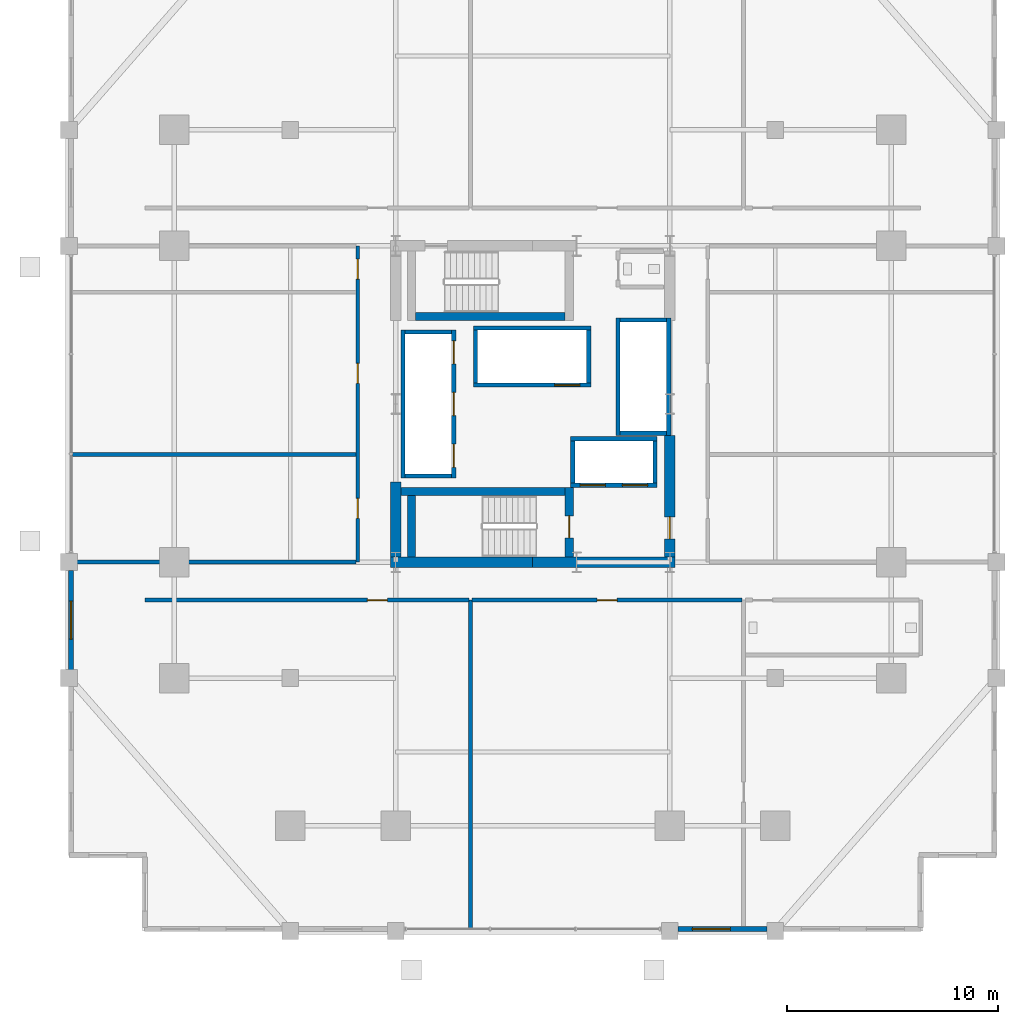
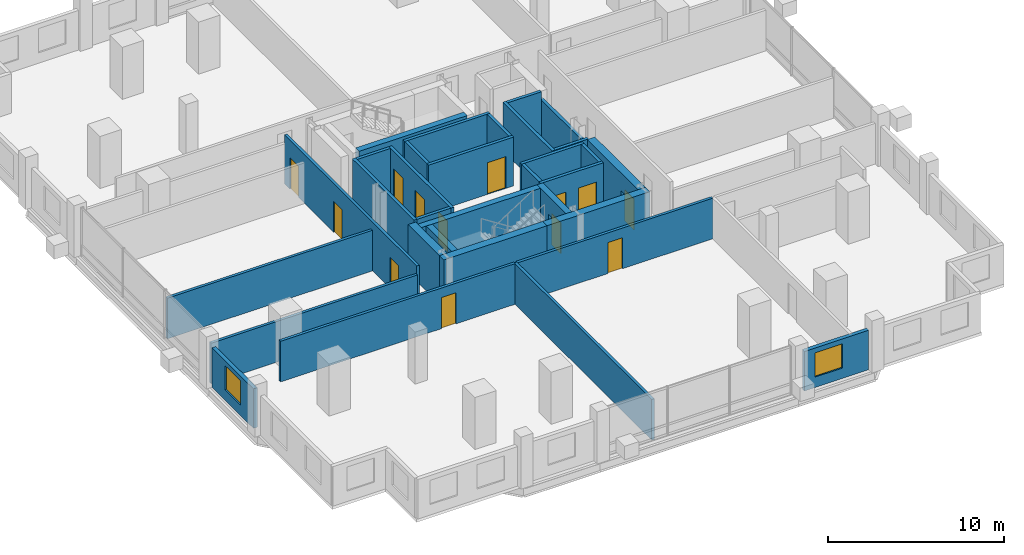
# One storey, part 17 of 21: 32 walls, 13 doors, 2 windows, 15 openings.
"""IFC4 building model written with IfcOpenShell, lengths in metres."""

from ifc_helpers import new_model, si_unit, direction, frame, frame_2d, origin, place, context, subcontext, project, spatial, rectangle, extrude, material, layer, layer_set, type_object, element, fill, save


model = new_model("IFC4")

# Units and contexts
model_context = context("Model", 3, precision=1e-05, world=origin(), true_north=direction((0.0, 1.0)))
body_context = subcontext(model_context, "Body", "Model", "MODEL_VIEW")
ifc_project = project(units=[si_unit("LENGTHUNIT", "METRE"), si_unit("AREAUNIT", "SQUARE_METRE"), si_unit("VOLUMEUNIT", "CUBIC_METRE"), si_unit("PLANEANGLEUNIT", "RADIAN"), si_unit("MASSUNIT", "GRAM", prefix="KILO")], contexts=[model_context])

# Site, building, storey
site_placement = place(None, origin())
site = spatial("IfcSite", under=ifc_project, at=site_placement, CompositionType="ELEMENT")
building_placement = place(site_placement, origin())
building = spatial("IfcBuilding", under=site, at=building_placement, Name="Barlavira Tower and Art Museum", CompositionType="ELEMENT")
storey_placement = place(building_placement, frame((0.0, 0.0, 86.39990234375)))
storey = spatial("IfcBuildingStorey", under=building, at=storey_placement, Name="L21", CompositionType="ELEMENT", Elevation=86.39990234375)

# Walls
ifc_material_1 = material(Name="Concrete C60", Category="concrete")
ifc_layer_1 = layer(ifc_material_1, 0.5, Name="Concrete C60")
ifc_layer_set_1 = layer_set([ifc_layer_1], Name="Concrete C60")
wall_type_1 = type_object("IfcWallType", Name="Core Structural Shear Wall 500 Concrete C60", PredefinedType="SHEAR", material=ifc_layer_set_1)
for number, where, z_axis, x_axis, name in (
    (1, (-6.75, -7.5, 0.0), (0.0, 0.0, 1.0), (1.0, 0.0, 0.0), "L21 Core Shear Wall CS-SW"),
    (2, (0.0, -7.5, 0.0), (0.0, 0.0, 1.0), (1.0, 0.0, 0.0), "L21 Core Shear Wall CS-SE"),
):
    element("IfcWall", number, at=place(storey_placement, frame(where, z_axis=z_axis, x_axis=x_axis)), inside=storey, type_object=wall_type_1, Name=name, PredefinedType="SHEAR", context=body_context, shape_type="SweptSolid", body=[
        extrude(rectangle(XDim=6.75, YDim=0.5, at=frame_2d((3.375, 0.0))), origin(), (0.0, 0.0, 1.0), 3.380126953125),
    ])
wall_1_placement = place(storey_placement, frame((-6.5, -7.25, 0.0), z_axis=(0.0, 0.0, 1.0), x_axis=(0.0, 1.0, 0.0)))
element("IfcWall", 3, at=wall_1_placement, inside=storey, type_object=wall_type_1, Name="L21 Core Shear Wall CS-W1", PredefinedType="SHEAR", context=body_context, shape_type="SweptSolid", body=[
    extrude(rectangle(XDim=3.550048828125, YDim=0.5, at=frame_2d((1.77490234375, 0.0))), origin(), (0.0, 0.0, 1.0), 3.380126953125),
])

# Wall, opening, door
wall_2_placement = place(storey_placement, frame((6.5, -7.25, 0.0), z_axis=(0.0, 0.0, 1.0), x_axis=(0.0, 1.0, 0.0)))
wall_2 = element("IfcWall", 4, at=wall_2_placement, inside=storey, type_object=wall_type_1, Name="L21 Core Shear Wall CS-E1", PredefinedType="SHEAR", context=body_context, shape_type="SweptSolid", body=[
    extrude(rectangle(XDim=5.75, YDim=0.5, at=frame_2d((2.875, 0.0))), origin(), (0.0, 0.0, 1.0), 3.380126953125),
])
opening_1_placement = place(wall_2_placement, frame((0.85009765625, 0.0, 0.0)))
opening_1 = element("IfcOpeningElement", 5, at=opening_1_placement, cuts=wall_2, Name="Opening FD-90", PredefinedType="OPENING", context=body_context, shape_type="SweptSolid", body=[
    extrude(rectangle(XDim=1.050048828125, YDim=2.14990234375, at=frame_2d((0.52490234375, 1.074951171875))), frame((0.0, 0.260009765625, 0.0), z_axis=(0.0, -1.0, 0.0), x_axis=(1.0, 0.0, 0.0)), (0.0, 0.0, 1.0), 0.52001953125),
])
ifc_material_2 = material(Name="Brushed stainless steel", Category="steel")
door_type_1 = type_object("IfcDoorType", Name="Stair and Refuge Fire Door 1050x2150 FD90S", OperationType="NOTDEFINED", PredefinedType="DOOR", material=ifc_material_2)
door_1_placement = place(opening_1_placement, origin())
door_1 = element("IfcDoor", 6, at=door_1_placement, inside=storey, type_object=door_type_1, Name="L21 Firefighting Lobby Entry Fire Door", OperationType="SINGLE_SWING_LEFT", OverallHeight=2.14990234375, OverallWidth=1.050048828125, PredefinedType="DOOR", context=body_context, shape_type="SweptSolid", body=[
    extrude(rectangle(XDim=1.050048828125, YDim=2.14990234375, at=frame_2d((0.52490234375, 1.074951171875))), frame((0.0, 0.02490234375, 0.0), z_axis=(0.0, -1.0, 0.0), x_axis=(1.0, 0.0, 0.0)), (0.0, 0.0, 1.0), 0.050048828125),
])
fill(opening_1, door_1)

# Wall, openings, doors
ifc_material_3 = material(Name="Autoclaved aerated concrete masonry", Category="masonry")
ifc_layer_2 = layer(ifc_material_3, 0.199951171875, Name="Autoclaved aerated concrete masonry")
ifc_layer_set_2 = layer_set([ifc_layer_2], Name="Autoclaved aerated concrete masonry")
wall_type_2 = type_object("IfcWallType", Name="Fire Compartment and Shaft Wall 200", PredefinedType="SOLIDWALL", material=ifc_layer_set_2)
wall_3_placement = place(storey_placement, frame((-3.75, -3.510009765625, 0.0), z_axis=(0.0, 0.0, 1.0), x_axis=(0.0, 1.0, 0.0)))
wall_3 = element("IfcWall", 7, at=wall_3_placement, inside=storey, type_object=wall_type_2, Name="L21 Low-Rise Lift Front Shaft Wall", PredefinedType="SOLIDWALL", context=body_context, shape_type="SweptSolid", body=[
    extrude(rectangle(XDim=7.02001953125, YDim=0.199951171875, at=frame_2d((3.510009765625, 0.0))), origin(), (0.0, 0.0, 1.0), 3.380126953125),
])
opening_2_placement = place(wall_3_placement, frame((0.510009765625, 0.0, 0.0)))
opening_2 = element("IfcOpeningElement", 8, at=opening_2_placement, cuts=wall_3, Name="Opening LD-P", PredefinedType="OPENING", context=body_context, shape_type="SweptSolid", body=[
    extrude(rectangle(XDim=1.10009765625, YDim=2.14990234375, at=frame_2d((0.550048828125, 1.074951171875))), frame((0.0, 0.10986328125, 0.0), z_axis=(0.0, -1.0, 0.0), x_axis=(1.0, 0.0, 0.0)), (0.0, 0.0, 1.0), 0.219970703125),
])
opening_3_placement = place(wall_3_placement, frame((2.9599609375, 0.0, 0.0)))
opening_3 = element("IfcOpeningElement", 9, at=opening_3_placement, cuts=wall_3, Name="Opening LD-P", PredefinedType="OPENING", context=body_context, shape_type="SweptSolid", body=[
    extrude(rectangle(XDim=1.10009765625, YDim=2.14990234375, at=frame_2d((0.550048828125, 1.074951171875))), frame((0.0, 0.10986328125, 0.0), z_axis=(0.0, -1.0, 0.0), x_axis=(1.0, 0.0, 0.0)), (0.0, 0.0, 1.0), 0.219970703125),
])
opening_4_placement = place(wall_3_placement, frame((5.409912109375, 0.0, 0.0)))
opening_4 = element("IfcOpeningElement", 10, at=opening_4_placement, cuts=wall_3, Name="Opening LD-P", PredefinedType="OPENING", context=body_context, shape_type="SweptSolid", body=[
    extrude(rectangle(XDim=1.10009765625, YDim=2.14990234375, at=frame_2d((0.550048828125, 1.074951171875))), frame((0.0, 0.10986328125, 0.0), z_axis=(0.0, -1.0, 0.0), x_axis=(1.0, 0.0, 0.0)), (0.0, 0.0, 1.0), 0.219970703125),
])
door_type_2 = type_object("IfcDoorType", Name="Passenger Lift Sliding Landing Door 1100x2150 FD60", OperationType="NOTDEFINED", PredefinedType="DOOR", material=ifc_material_2)
door_2_placement = place(opening_2_placement, origin())
door_2 = element("IfcDoor", 11, at=door_2_placement, inside=storey, type_object=door_type_2, Name="L21 Lift PL1 Sliding Landing Door", OperationType="DOUBLE_DOOR_SLIDING", OverallHeight=2.14990234375, OverallWidth=1.10009765625, PredefinedType="DOOR", context=body_context, shape_type="SweptSolid", body=[
    extrude(rectangle(XDim=1.10009765625, YDim=2.14990234375, at=frame_2d((0.550048828125, 1.074951171875))), frame((0.0, 0.02490234375, 0.0), z_axis=(0.0, -1.0, 0.0), x_axis=(1.0, 0.0, 0.0)), (0.0, 0.0, 1.0), 0.050048828125),
])
fill(opening_2, door_2)
door_3_placement = place(opening_3_placement, origin())
door_3 = element("IfcDoor", 12, at=door_3_placement, inside=storey, type_object=door_type_2, Name="L21 Lift PL2 Sliding Landing Door", OperationType="DOUBLE_DOOR_SLIDING", OverallHeight=2.14990234375, OverallWidth=1.10009765625, PredefinedType="DOOR", context=body_context, shape_type="SweptSolid", body=[
    extrude(rectangle(XDim=1.10009765625, YDim=2.14990234375, at=frame_2d((0.550048828125, 1.074951171875))), frame((0.0, 0.02490234375, 0.0), z_axis=(0.0, -1.0, 0.0), x_axis=(1.0, 0.0, 0.0)), (0.0, 0.0, 1.0), 0.050048828125),
])
fill(opening_3, door_3)
door_4_placement = place(opening_4_placement, origin())
door_4 = element("IfcDoor", 13, at=door_4_placement, inside=storey, type_object=door_type_2, Name="L21 Lift PL3 Sliding Landing Door", OperationType="DOUBLE_DOOR_SLIDING", OverallHeight=2.14990234375, OverallWidth=1.10009765625, PredefinedType="DOOR", context=body_context, shape_type="SweptSolid", body=[
    extrude(rectangle(XDim=1.10009765625, YDim=2.14990234375, at=frame_2d((0.550048828125, 1.074951171875))), frame((0.0, 0.02490234375, 0.0), z_axis=(0.0, -1.0, 0.0), x_axis=(1.0, 0.0, 0.0)), (0.0, 0.0, 1.0), 0.050048828125),
])
fill(opening_4, door_4)

# Walls
wall_4_placement = place(storey_placement, frame((-6.14990234375, -3.510009765625, 0.0), z_axis=(0.0, 0.0, 1.0), x_axis=(0.0, 1.0, 0.0)))
element("IfcWall", 14, at=wall_4_placement, inside=storey, type_object=wall_type_2, Name="L21 Low-Rise Lift Back Shaft Wall", PredefinedType="SOLIDWALL", context=body_context, shape_type="SweptSolid", body=[
    extrude(rectangle(XDim=7.02001953125, YDim=0.199951171875, at=frame_2d((3.510009765625, 0.0))), origin(), (0.0, 0.0, 1.0), 3.380126953125),
])
for number, where, z_axis, x_axis, name in (
    (15, (-6.050048828125, -3.409912109375, 0.0), (0.0, 0.0, 1.0), (1.0, 0.0, 0.0), "L21 Low-Rise Lift South Shaft Wall"),
    (16, (-6.050048828125, 3.409912109375, 0.0), (0.0, 0.0, 1.0), (1.0, 0.0, 0.0), "L21 Low-Rise Lift North Shaft Wall"),
):
    element("IfcWall", number, at=place(storey_placement, frame(where, z_axis=z_axis, x_axis=x_axis)), inside=storey, type_object=wall_type_2, Name=name, PredefinedType="SOLIDWALL", context=body_context, shape_type="SweptSolid", body=[
        extrude(rectangle(XDim=2.199951171875, YDim=0.199951171875, at=frame_2d((1.10009765625, 0.0))), origin(), (0.0, 0.0, 1.0), 3.380126953125),
    ])
wall_5_placement = place(storey_placement, frame((4.050048828125, -1.489990234375, 0.0), z_axis=(0.0, 0.0, 1.0), x_axis=(0.0, 1.0, 0.0)))
element("IfcWall", 17, at=wall_5_placement, inside=storey, type_object=wall_type_2, Name="L21 Mid-Rise Lift Front Shaft Wall", PredefinedType="SOLIDWALL", context=body_context, shape_type="SweptSolid", body=[
    extrude(rectangle(XDim=5.580078125, YDim=0.199951171875, at=frame_2d((2.7900390625, 0.0))), origin(), (0.0, 0.0, 1.0), 3.380126953125),
])
wall_6_placement = place(storey_placement, frame((6.449951171875, -1.489990234375, 0.0), z_axis=(0.0, 0.0, 1.0), x_axis=(0.0, 1.0, 0.0)))
element("IfcWall", 18, at=wall_6_placement, inside=storey, type_object=wall_type_2, Name="L21 Mid-Rise Lift Back Shaft Wall", PredefinedType="SOLIDWALL", context=body_context, shape_type="SweptSolid", body=[
    extrude(rectangle(XDim=5.580078125, YDim=0.199951171875, at=frame_2d((2.7900390625, 0.0))), origin(), (0.0, 0.0, 1.0), 2.816162109375),
])
for number, where, z_axis, x_axis, name in (
    (19, (4.14990234375, -1.389892578125, 0.0), (0.0, 0.0, 1.0), (1.0, 0.0, 0.0), "L21 Mid-Rise Lift South Shaft Wall"),
    (20, (4.14990234375, 3.989990234375, 0.0), (0.0, 0.0, 1.0), (1.0, 0.0, 0.0), "L21 Mid-Rise Lift North Shaft Wall"),
):
    element("IfcWall", number, at=place(storey_placement, frame(where, z_axis=z_axis, x_axis=x_axis)), inside=storey, type_object=wall_type_2, Name=name, PredefinedType="SOLIDWALL", context=body_context, shape_type="SweptSolid", body=[
        extrude(rectangle(XDim=2.2001953125, YDim=0.199951171875, at=frame_2d((1.10009765625, 0.0))), origin(), (0.0, 0.0, 1.0), 3.380126953125),
    ])

# Wall, opening, door
wall_7_placement = place(storey_placement, frame((-2.820068359375, 0.89990234375, 0.0), z_axis=(0.0, 0.0, 1.0), x_axis=(1.0, 0.0, 0.0)))
wall_7 = element("IfcWall", 21, at=wall_7_placement, inside=storey, type_object=wall_type_2, Name="L21 High-Rise & Service Lift Front Wall", PredefinedType="SOLIDWALL", context=body_context, shape_type="SweptSolid", body=[
    extrude(rectangle(XDim=5.580078125, YDim=0.199951171875, at=frame_2d((2.7900390625, 0.0))), origin(), (0.0, 0.0, 1.0), 3.380126953125),
])
opening_5_placement = place(wall_7_placement, frame((3.860107421875, 0.0, 0.0)))
opening_5 = element("IfcOpeningElement", 22, at=opening_5_placement, cuts=wall_7, Name="Opening LD-F", PredefinedType="OPENING", context=body_context, shape_type="SweptSolid", body=[
    extrude(rectangle(XDim=1.199951171875, YDim=2.199951171875, at=frame_2d((0.60009765625, 1.10009765625))), frame((0.0, 0.10986328125, 0.0), z_axis=(0.0, -1.0, 0.0), x_axis=(1.0, 0.0, 0.0)), (0.0, 0.0, 1.0), 0.219970703125),
])
door_type_3 = type_object("IfcDoorType", Name="Firefighting and Service Lift Sliding Door 1200x2200 FD120", OperationType="NOTDEFINED", PredefinedType="DOOR", material=ifc_material_2)
door_5_placement = place(opening_5_placement, origin())
door_5 = element("IfcDoor", 23, at=door_5_placement, inside=storey, type_object=door_type_3, Name="L21 Stretcher Service Lift SL1 Sliding Door", OperationType="DOUBLE_DOOR_SLIDING", OverallHeight=2.199951171875, OverallWidth=1.199951171875, PredefinedType="DOOR", context=body_context, shape_type="SweptSolid", body=[
    extrude(rectangle(XDim=1.199951171875, YDim=2.199951171875, at=frame_2d((0.60009765625, 1.10009765625))), frame((0.0, 0.02490234375, 0.0), z_axis=(0.0, -1.0, 0.0), x_axis=(1.0, 0.0, 0.0)), (0.0, 0.0, 1.0), 0.050048828125),
])
fill(opening_5, door_5)

# Walls
wall_8_placement = place(storey_placement, frame((-2.820068359375, 3.60009765625, 0.0), z_axis=(0.0, 0.0, 1.0), x_axis=(1.0, 0.0, 0.0)))
element("IfcWall", 24, at=wall_8_placement, inside=storey, type_object=wall_type_2, Name="L21 High-Rise & Service Lift Back Wall", PredefinedType="SOLIDWALL", context=body_context, shape_type="SweptSolid", body=[
    extrude(rectangle(XDim=5.580078125, YDim=0.199951171875, at=frame_2d((2.7900390625, 0.0))), origin(), (0.0, 0.0, 1.0), 3.380126953125),
])
for number, where, z_axis, x_axis, name in (
    (25, (-2.719970703125, 1.0, 0.0), (0.0, 0.0, 1.0), (0.0, 1.0, 0.0), "L21 High-Rise & Service Lift West Wall"),
    (26, (2.659912109375, 1.0, 0.0), (0.0, 0.0, 1.0), (0.0, 1.0, 0.0), "L21 High-Rise & Service Lift East Wall"),
):
    element("IfcWall", number, at=place(storey_placement, frame(where, z_axis=z_axis, x_axis=x_axis)), inside=storey, type_object=wall_type_2, Name=name, PredefinedType="SOLIDWALL", context=body_context, shape_type="SweptSolid", body=[
        extrude(rectangle(XDim=2.5, YDim=0.199951171875, at=frame_2d((1.25, 0.0))), origin(), (0.0, 0.0, 1.0), 3.380126953125),
    ])

# Wall, openings, doors
wall_9_placement = place(storey_placement, frame((1.800048828125, -3.85009765625, 0.0), z_axis=(0.0, 0.0, 1.0), x_axis=(1.0, 0.0, 0.0)))
wall_9 = element("IfcWall", 27, at=wall_9_placement, inside=storey, type_object=wall_type_2, Name="L21 Firefighting Lift Front Shaft Wall", PredefinedType="SOLIDWALL", context=body_context, shape_type="SweptSolid", body=[
    extrude(rectangle(XDim=4.099853515625, YDim=0.199951171875, at=frame_2d((2.0498046875, 0.0))), origin(), (0.0, 0.0, 1.0), 3.380126953125),
])
opening_6_placement = place(wall_9_placement, frame((0.449951171875, 0.0, 0.0)))
opening_6 = element("IfcOpeningElement", 28, at=opening_6_placement, cuts=wall_9, Name="Opening LD-F", PredefinedType="OPENING", context=body_context, shape_type="SweptSolid", body=[
    extrude(rectangle(XDim=1.199951171875, YDim=2.199951171875, at=frame_2d((0.60009765625, 1.10009765625))), frame((0.0, 0.10986328125, 0.0), z_axis=(0.0, -1.0, 0.0), x_axis=(1.0, 0.0, 0.0)), (0.0, 0.0, 1.0), 0.219970703125),
])
opening_7_placement = place(wall_9_placement, frame((2.449951171875, 0.0, 0.0)))
opening_7 = element("IfcOpeningElement", 29, at=opening_7_placement, cuts=wall_9, Name="Opening LD-F", PredefinedType="OPENING", context=body_context, shape_type="SweptSolid", body=[
    extrude(rectangle(XDim=1.199951171875, YDim=2.199951171875, at=frame_2d((0.60009765625, 1.10009765625))), frame((0.0, 0.10986328125, 0.0), z_axis=(0.0, -1.0, 0.0), x_axis=(1.0, 0.0, 0.0)), (0.0, 0.0, 1.0), 0.219970703125),
])
door_6_placement = place(opening_6_placement, origin())
door_6 = element("IfcDoor", 30, at=door_6_placement, inside=storey, type_object=door_type_3, Name="L21 Firefighting Lift FF1 Sliding Door", OperationType="DOUBLE_DOOR_SLIDING", OverallHeight=2.199951171875, OverallWidth=1.199951171875, PredefinedType="DOOR", context=body_context, shape_type="SweptSolid", body=[
    extrude(rectangle(XDim=1.199951171875, YDim=2.199951171875, at=frame_2d((0.60009765625, 1.10009765625))), frame((0.0, 0.02490234375, 0.0), z_axis=(0.0, -1.0, 0.0), x_axis=(1.0, 0.0, 0.0)), (0.0, 0.0, 1.0), 0.050048828125),
])
fill(opening_6, door_6)
door_7_placement = place(opening_7_placement, origin())
door_7 = element("IfcDoor", 31, at=door_7_placement, inside=storey, type_object=door_type_3, Name="L21 Firefighting Lift FF2 Sliding Door", OperationType="DOUBLE_DOOR_SLIDING", OverallHeight=2.199951171875, OverallWidth=1.199951171875, PredefinedType="DOOR", context=body_context, shape_type="SweptSolid", body=[
    extrude(rectangle(XDim=1.199951171875, YDim=2.199951171875, at=frame_2d((0.60009765625, 1.10009765625))), frame((0.0, 0.02490234375, 0.0), z_axis=(0.0, -1.0, 0.0), x_axis=(1.0, 0.0, 0.0)), (0.0, 0.0, 1.0), 0.050048828125),
])
fill(opening_7, door_7)

# Walls
wall_10_placement = place(storey_placement, frame((1.800048828125, -1.64990234375, 0.0), z_axis=(0.0, 0.0, 1.0), x_axis=(1.0, 0.0, 0.0)))
element("IfcWall", 32, at=wall_10_placement, inside=storey, type_object=wall_type_2, Name="L21 Firefighting Lift Back Shaft Wall", PredefinedType="SOLIDWALL", context=body_context, shape_type="SweptSolid", body=[
    extrude(rectangle(XDim=4.099853515625, YDim=0.199951171875, at=frame_2d((2.0498046875, 0.0))), origin(), (0.0, 0.0, 1.0), 3.380126953125),
])
for number, where, z_axis, x_axis, name in (
    (33, (1.89990234375, -3.75, 0.0), (0.0, 0.0, 1.0), (0.0, 1.0, 0.0), "L21 Firefighting Lift West Shaft Wall"),
    (34, (5.800048828125, -3.75, 0.0), (0.0, 0.0, 1.0), (0.0, 1.0, 0.0), "L21 Firefighting Lift East Shaft Wall"),
):
    element("IfcWall", number, at=place(storey_placement, frame(where, z_axis=z_axis, x_axis=x_axis)), inside=storey, type_object=wall_type_2, Name=name, PredefinedType="SOLIDWALL", context=body_context, shape_type="SweptSolid", body=[
        extrude(rectangle(XDim=2.0, YDim=0.199951171875, at=frame_2d((1.0, 0.0))), origin(), (0.0, 0.0, 1.0), 3.380126953125),
    ])

# Wall, openings, doors
ifc_material_4 = material(Name="Gypsum acoustic stud partition", Category="gypsum")
ifc_layer_3 = layer(ifc_material_4, 0.179931640625, Name="Gypsum acoustic stud partition")
ifc_layer_set_3 = layer_set([ifc_layer_3], Name="Gypsum acoustic stud partition")
wall_type_3 = type_object("IfcWallType", Name="Inter-Tenancy Party Partition Wall 180", PredefinedType="PARTITIONING", material=ifc_layer_set_3)
wall_11_placement = place(storey_placement, frame((-8.300048828125, -7.5, 0.0), z_axis=(0.0, 0.0, 1.0), x_axis=(0.0, 1.0, 0.0)))
wall_11 = element("IfcWall", 35, at=wall_11_placement, inside=storey, type_object=wall_type_3, Name="L21 Partition Wall 1", PredefinedType="PARTITIONING", context=body_context, shape_type="SweptSolid", body=[
    extrude(rectangle(XDim=15.0, YDim=0.179931640625, at=frame_2d((7.5, 0.0))), origin(), (0.0, 0.0, 1.0), 3.380126953125),
])
opening_8_placement = place(wall_11_placement, frame((2.074951171875, 0.0, 0.0)))
opening_8 = element("IfcOpeningElement", 36, at=opening_8_placement, cuts=wall_11, Name="Opening FD-60", PredefinedType="OPENING", context=body_context, shape_type="SweptSolid", body=[
    extrude(rectangle(XDim=0.949951171875, YDim=2.14990234375, at=frame_2d((0.47509765625, 1.074951171875))), frame((0.0, 0.10009765625, 0.0), z_axis=(0.0, -1.0, 0.0), x_axis=(1.0, 0.0, 0.0)), (0.0, 0.0, 1.0), 0.199951171875),
])
opening_9_placement = place(wall_11_placement, frame((8.47509765625, 0.0, 0.0)))
opening_9 = element("IfcOpeningElement", 37, at=opening_9_placement, cuts=wall_11, Name="Opening FD-60", PredefinedType="OPENING", context=body_context, shape_type="SweptSolid", body=[
    extrude(rectangle(XDim=0.949951171875, YDim=2.14990234375, at=frame_2d((0.47509765625, 1.074951171875))), frame((0.0, 0.10009765625, 0.0), z_axis=(0.0, -1.0, 0.0), x_axis=(1.0, 0.0, 0.0)), (0.0, 0.0, 1.0), 0.199951171875),
])
opening_10_placement = place(wall_11_placement, frame((13.425048828125, 0.0, 0.0)))
opening_10 = element("IfcOpeningElement", 38, at=opening_10_placement, cuts=wall_11, Name="Opening FD-60", PredefinedType="OPENING", context=body_context, shape_type="SweptSolid", body=[
    extrude(rectangle(XDim=0.949951171875, YDim=2.14990234375, at=frame_2d((0.47509765625, 1.074951171875))), frame((0.0, 0.10009765625, 0.0), z_axis=(0.0, -1.0, 0.0), x_axis=(1.0, 0.0, 0.0)), (0.0, 0.0, 1.0), 0.199951171875),
])
door_type_4 = type_object("IfcDoorType", Name="Apartment Entrance and Riser Fire Door 950x2150 FD60S", OperationType="NOTDEFINED", PredefinedType="DOOR", material=ifc_material_2)
door_8_placement = place(opening_8_placement, origin())
door_8 = element("IfcDoor", 39, at=door_8_placement, inside=storey, type_object=door_type_4, Name="Resident Art Collectors Salon Door", OperationType="SINGLE_SWING_RIGHT", OverallHeight=2.14990234375, OverallWidth=0.949951171875, PredefinedType="DOOR", context=body_context, shape_type="SweptSolid", body=[
    extrude(rectangle(XDim=0.949951171875, YDim=2.14990234375, at=frame_2d((0.47509765625, 1.074951171875))), frame((0.0, 0.02490234375, 0.0), z_axis=(0.0, -1.0, 0.0), x_axis=(1.0, 0.0, 0.0)), (0.0, 0.0, 1.0), 0.050048828125),
])
fill(opening_8, door_8)
door_9_placement = place(opening_9_placement, origin())
door_9 = element("IfcDoor", 40, at=door_9_placement, inside=storey, type_object=door_type_4, Name="Sculpture and Painting Workshop Door", OperationType="SINGLE_SWING_LEFT", OverallHeight=2.14990234375, OverallWidth=0.949951171875, PredefinedType="DOOR", context=body_context, shape_type="SweptSolid", body=[
    extrude(rectangle(XDim=0.949951171875, YDim=2.14990234375, at=frame_2d((0.47509765625, 1.074951171875))), frame((0.0, 0.02490234375, 0.0), z_axis=(0.0, -1.0, 0.0), x_axis=(1.0, 0.0, 0.0)), (0.0, 0.0, 1.0), 0.050048828125),
])
fill(opening_9, door_9)
door_10_placement = place(opening_10_placement, origin())
door_10 = element("IfcDoor", 41, at=door_10_placement, inside=storey, type_object=door_type_4, Name="Climate-Controlled Wine Tasting Room Door", OperationType="SINGLE_SWING_RIGHT", OverallHeight=2.14990234375, OverallWidth=0.949951171875, PredefinedType="DOOR", context=body_context, shape_type="SweptSolid", body=[
    extrude(rectangle(XDim=0.949951171875, YDim=2.14990234375, at=frame_2d((0.47509765625, 1.074951171875))), frame((0.0, 0.02490234375, 0.0), z_axis=(0.0, -1.0, 0.0), x_axis=(1.0, 0.0, 0.0)), (0.0, 0.0, 1.0), 0.050048828125),
])
fill(opening_10, door_10)

# Wall
wall_12_placement = place(storey_placement, frame((-2.949951171875, -24.89990234375, 0.0), z_axis=(0.0, 0.0, 1.0), x_axis=(0.0, 1.0, 0.0)))
element("IfcWall", 42, at=wall_12_placement, inside=storey, type_object=wall_type_3, Name="L21 Partition Wall 2", PredefinedType="PARTITIONING", context=body_context, shape_type="SweptSolid", body=[
    extrude(rectangle(XDim=15.599853515625, YDim=0.179931640625, at=frame_2d((7.7998046875, 0.0))), origin(), (0.0, 0.0, 1.0), 2.816162109375),
])

# Wall, opening, door
wall_13_placement = place(storey_placement, frame((-18.39990234375, -9.300048828125, 0.0), z_axis=(0.0, 0.0, 1.0), x_axis=(1.0, 0.0, 0.0)))
wall_13 = element("IfcWall", 43, at=wall_13_placement, inside=storey, type_object=wall_type_3, Name="L21 Partition Wall 10", PredefinedType="PARTITIONING", context=body_context, shape_type="SweptSolid", body=[
    extrude(rectangle(XDim=15.369873046875, YDim=0.179931640625, at=frame_2d((7.68505859375, 0.0))), origin(), (0.0, 0.0, 1.0), 2.816162109375),
])
opening_11_placement = place(wall_13_placement, frame((10.554931640625, 0.0, 0.0)))
opening_11 = element("IfcOpeningElement", 44, at=opening_11_placement, cuts=wall_13, Name="Opening FD-60", PredefinedType="OPENING", context=body_context, shape_type="SweptSolid", body=[
    extrude(rectangle(XDim=0.949951171875, YDim=2.14990234375, at=frame_2d((0.47509765625, 1.074951171875))), frame((0.0, 0.10009765625, 0.0), z_axis=(0.0, -1.0, 0.0), x_axis=(1.0, 0.0, 0.0)), (0.0, 0.0, 1.0), 0.199951171875),
])
door_11_placement = place(opening_11_placement, origin())
door_11 = element("IfcDoor", 45, at=door_11_placement, inside=storey, type_object=door_type_4, Name="Resident Ocean-View Fitness Studio Door", OperationType="SINGLE_SWING_LEFT", OverallHeight=2.14990234375, OverallWidth=0.949951171875, PredefinedType="DOOR", context=body_context, shape_type="SweptSolid", body=[
    extrude(rectangle(XDim=0.949951171875, YDim=2.14990234375, at=frame_2d((0.47509765625, 1.074951171875))), frame((0.0, 0.02490234375, 0.0), z_axis=(0.0, -1.0, 0.0), x_axis=(1.0, 0.0, 0.0)), (0.0, 0.0, 1.0), 0.050048828125),
])
fill(opening_11, door_11)

wall_14_placement = place(storey_placement, frame((-2.8701171875, -9.300048828125, 0.0), z_axis=(0.0, 0.0, 1.0), x_axis=(1.0, 0.0, 0.0)))
wall_14 = element("IfcWall", 46, at=wall_14_placement, inside=storey, type_object=wall_type_3, Name="L21 Partition Wall 11", PredefinedType="PARTITIONING", context=body_context, shape_type="SweptSolid", body=[
    extrude(rectangle(XDim=12.7900390625, YDim=0.179931640625, at=frame_2d((6.39501953125, 0.0))), origin(), (0.0, 0.0, 1.0), 2.816162109375),
])
opening_12_placement = place(wall_14_placement, frame((5.925048828125, 0.0, 0.0)))
opening_12 = element("IfcOpeningElement", 47, at=opening_12_placement, cuts=wall_14, Name="Opening FD-60", PredefinedType="OPENING", context=body_context, shape_type="SweptSolid", body=[
    extrude(rectangle(XDim=0.949951171875, YDim=2.14990234375, at=frame_2d((0.47509765625, 1.074951171875))), frame((0.0, 0.10009765625, 0.0), z_axis=(0.0, -1.0, 0.0), x_axis=(1.0, 0.0, 0.0)), (0.0, 0.0, 1.0), 0.199951171875),
])
door_12_placement = place(opening_12_placement, origin())
door_12 = element("IfcDoor", 48, at=door_12_placement, inside=storey, type_object=door_type_4, Name="Coastal Hydrotherapy and Yoga Lounge Door", OperationType="SINGLE_SWING_RIGHT", OverallHeight=2.14990234375, OverallWidth=0.949951171875, PredefinedType="DOOR", context=body_context, shape_type="SweptSolid", body=[
    extrude(rectangle(XDim=0.949951171875, YDim=2.14990234375, at=frame_2d((0.47509765625, 1.074951171875))), frame((0.0, 0.02490234375, 0.0), z_axis=(0.0, -1.0, 0.0), x_axis=(1.0, 0.0, 0.0)), (0.0, 0.0, 1.0), 0.050048828125),
])
fill(opening_12, door_12)

# Walls
wall_15_placement = place(storey_placement, frame((-21.89990234375, -7.5, 0.0), z_axis=(0.0, 0.0, 1.0), x_axis=(1.0, 0.0, 0.0)))
element("IfcWall", 49, at=wall_15_placement, inside=storey, type_object=wall_type_3, Name="L21 Partition Wall 13", PredefinedType="PARTITIONING", context=body_context, shape_type="SweptSolid", body=[
    extrude(rectangle(XDim=13.52001953125, YDim=0.179931640625, at=frame_2d((6.760009765625, 0.0))), origin(), (0.0, 0.0, 1.0), 2.816162109375),
])
wall_16_placement = place(storey_placement, frame((-21.820068359375, -2.39990234375, 0.0), z_axis=(0.0, 0.0, 1.0), x_axis=(1.0, 0.0, 0.0)))
element("IfcWall", 50, at=wall_16_placement, inside=storey, type_object=wall_type_3, Name="L21 Partition Wall 15", PredefinedType="PARTITIONING", context=body_context, shape_type="SweptSolid", body=[
    extrude(rectangle(XDim=13.440185546875, YDim=0.179931640625, at=frame_2d((6.72021484375, 0.0))), origin(), (0.0, 0.0, 1.0), 2.816162109375),
])

# Wall, opening, window
ifc_material_5 = material(Name="Precast concrete C40", Category="concrete")
ifc_layer_4 = layer(ifc_material_5, 0.25, Name="Precast concrete C40")
ifc_layer_set_4 = layer_set([ifc_layer_4], Name="Precast concrete C40")
wall_type_4 = type_object("IfcWallType", Name="Notched Corner Spandrel Wall 250 Precast Concrete C40", PredefinedType="SOLIDWALL", material=ifc_layer_set_4)
wall_17_placement = place(storey_placement, frame((6.89501953125, -24.89990234375, 0.0), z_axis=(0.0, 0.0, 1.0), x_axis=(1.0, 0.0, 0.0)))
wall_17 = element("IfcWall", 51, at=wall_17_placement, inside=storey, type_object=wall_type_4, Name="L21 Coastal Facade Pier Wall CW1-L21-S-4", PredefinedType="SOLIDWALL", context=body_context, shape_type="SweptSolid", body=[
    extrude(rectangle(XDim=4.2099609375, YDim=0.25, at=frame_2d((2.10498046875, 0.0))), origin(), (0.0, 0.0, 1.0), 2.736083984375),
])
opening_13_placement = place(wall_17_placement, frame((0.675048828125, 0.0, 0.719970703125)))
opening_13 = element("IfcOpeningElement", 52, at=opening_13_placement, cuts=wall_17, Name="Opening WN-01", PredefinedType="OPENING", context=body_context, shape_type="SweptSolid", body=[
    extrude(rectangle(XDim=1.800048828125, YDim=1.679931640625, at=frame_2d((0.89990234375, 0.83984375))), frame((0.0, 0.135009765625, 0.0), z_axis=(0.0, -1.0, 0.0), x_axis=(1.0, 0.0, 0.0)), (0.0, 0.0, 1.0), 0.27001953125),
])
ifc_material_6 = material(Name="Low-iron coastal laminated glass", Category="glass")
window_type = type_object("IfcWindowType", Name="Recessed Notch Corner Punch Window 1800x1680", PartitioningType="SINGLE_PANEL", PredefinedType="WINDOW", material=ifc_material_6)
window_1_placement = place(opening_13_placement, origin())
window_1 = element("IfcWindow", 53, at=window_1_placement, inside=storey, type_object=window_type, Name="L21 Punched Facade Window EWP-CW1-L21-S-4-1", OverallHeight=1.679931640625, OverallWidth=1.800048828125, PartitioningType="SINGLE_PANEL", PredefinedType="WINDOW", context=body_context, shape_type="SweptSolid", body=[
    extrude(rectangle(XDim=1.800048828125, YDim=1.679931640625, at=frame_2d((0.89990234375, 0.83984375))), frame((0.0, 0.030029296875, 0.0), z_axis=(0.0, -1.0, 0.0), x_axis=(1.0, 0.0, 0.0)), (0.0, 0.0, 1.0), 0.06005859375),
])
fill(opening_13, window_1)

wall_18_placement = place(storey_placement, frame((-21.89990234375, -7.89501953125, 0.0), z_axis=(0.0, 0.0, 1.0), x_axis=(0.0, -1.0, 0.0)))
wall_18 = element("IfcWall", 54, at=wall_18_placement, inside=storey, type_object=wall_type_4, Name="L21 Coastal Facade Pier Wall CW1-L21-W-4", PredefinedType="SOLIDWALL", context=body_context, shape_type="SweptSolid", body=[
    extrude(rectangle(XDim=4.7099609375, YDim=0.25, at=frame_2d((2.35498046875, 0.0))), origin(), (0.0, 0.0, 1.0), 2.736083984375),
])
opening_14_placement = place(wall_18_placement, frame((1.455078125, 0.0, 0.719970703125)))
opening_14 = element("IfcOpeningElement", 55, at=opening_14_placement, cuts=wall_18, Name="Opening WN-01", PredefinedType="OPENING", context=body_context, shape_type="SweptSolid", body=[
    extrude(rectangle(XDim=1.800048828125, YDim=1.679931640625, at=frame_2d((0.89990234375, 0.83984375))), frame((0.0, 0.135009765625, 0.0), z_axis=(0.0, -1.0, 0.0), x_axis=(1.0, 0.0, 0.0)), (0.0, 0.0, 1.0), 0.27001953125),
])
window_2_placement = place(opening_14_placement, origin())
window_2 = element("IfcWindow", 56, at=window_2_placement, inside=storey, type_object=window_type, Name="L21 Punched Facade Window EWP-CW1-L21-W-4-1", OverallHeight=1.679931640625, OverallWidth=1.800048828125, PartitioningType="SINGLE_PANEL", PredefinedType="WINDOW", context=body_context, shape_type="SweptSolid", body=[
    extrude(rectangle(XDim=1.800048828125, YDim=1.679931640625, at=frame_2d((0.89990234375, 0.83984375))), frame((0.0, 0.030029296875, 0.0), z_axis=(0.0, -1.0, 0.0), x_axis=(1.0, 0.0, 0.0)), (0.0, 0.0, 1.0), 0.06005859375),
])
fill(opening_14, window_2)

# Walls
ifc_material_7 = material(Name="Concrete C55", Category="concrete")
ifc_layer_5 = layer(ifc_material_7, 0.39990234375, Name="Concrete C55")
ifc_layer_set_5 = layer_set([ifc_layer_5], Name="Concrete C55")
wall_type_5 = type_object("IfcWallType", Name="Upper Core Shear Wall 400 Concrete C55", PredefinedType="SHEAR", material=ifc_layer_set_5)
wall_19_placement = place(storey_placement, frame((-5.75, -7.25, 0.0), z_axis=(0.0, 0.0, 1.0), x_axis=(0.0, 1.0, 0.0)))
element("IfcWall", 57, at=wall_19_placement, inside=storey, type_object=wall_type_5, Name="L21 ST-T1 West Half-Landing Wall", PredefinedType="SHEAR", context=body_context, shape_type="SweptSolid", body=[
    extrude(rectangle(XDim=2.89990234375, YDim=0.39990234375, at=frame_2d((1.449951171875, 0.0))), origin(), (0.0, 0.0, 1.0), 3.380126953125),
])
wall_20_placement = place(storey_placement, frame((-6.25, -4.14990234375, 0.0), z_axis=(0.0, 0.0, 1.0), x_axis=(1.0, 0.0, 0.0)))
element("IfcWall", 58, at=wall_20_placement, inside=storey, type_object=wall_type_5, Name="L21 ST-T1 North Shaft Wall", PredefinedType="SHEAR", context=body_context, shape_type="SweptSolid", body=[
    extrude(rectangle(XDim=7.780029296875, YDim=0.39990234375, at=frame_2d((3.89013671875, 0.0))), origin(), (0.0, 0.0, 1.0), 3.380126953125),
])

# Wall, opening, door
wall_21_placement = place(storey_placement, frame((1.72998046875, -7.25, 0.0), z_axis=(0.0, 0.0, 1.0), x_axis=(0.0, 1.0, 0.0)))
wall_21 = element("IfcWall", 59, at=wall_21_placement, inside=storey, type_object=wall_type_5, Name="L21 ST-T1 East Landing Wall", PredefinedType="SHEAR", context=body_context, shape_type="SweptSolid", body=[
    extrude(rectangle(XDim=3.300048828125, YDim=0.39990234375, at=frame_2d((1.64990234375, 0.0))), origin(), (0.0, 0.0, 1.0), 3.380126953125),
])
opening_15_placement = place(wall_21_placement, frame((0.89990234375, 0.0, 0.0)))
opening_15 = element("IfcOpeningElement", 60, at=opening_15_placement, cuts=wall_21, Name="Opening FD-90", PredefinedType="OPENING", context=body_context, shape_type="SweptSolid", body=[
    extrude(rectangle(XDim=1.050048828125, YDim=2.14990234375, at=frame_2d((0.52490234375, 1.074951171875))), frame((0.0, 0.2099609375, 0.0), z_axis=(0.0, -1.0, 0.0), x_axis=(1.0, 0.0, 0.0)), (0.0, 0.0, 1.0), 0.419921875),
])
door_13_placement = place(opening_15_placement, origin())
door_13 = element("IfcDoor", 61, at=door_13_placement, inside=storey, type_object=door_type_1, Name="L21 Stair ST-T1 Fire Door", OperationType="SINGLE_SWING_RIGHT", OverallHeight=2.14990234375, OverallWidth=1.050048828125, PredefinedType="DOOR", context=body_context, shape_type="SweptSolid", body=[
    extrude(rectangle(XDim=1.050048828125, YDim=2.14990234375, at=frame_2d((0.52490234375, 1.074951171875))), frame((0.0, 0.02490234375, 0.0), z_axis=(0.0, -1.0, 0.0), x_axis=(1.0, 0.0, 0.0)), (0.0, 0.0, 1.0), 0.050048828125),
])
fill(opening_15, door_13)

# Wall
wall_22_placement = place(storey_placement, frame((-5.550048828125, 4.14990234375, 0.0), z_axis=(0.0, 0.0, 1.0), x_axis=(1.0, 0.0, 0.0)))
element("IfcWall", 62, at=wall_22_placement, inside=storey, type_object=wall_type_5, Name="L21 ST-T2 South Shaft Wall", PredefinedType="SHEAR", context=body_context, shape_type="SweptSolid", body=[
    extrude(rectangle(XDim=7.080078125, YDim=0.39990234375, at=frame_2d((3.5400390625, 0.0))), origin(), (0.0, 0.0, 1.0), 3.380126953125),
])

save(model, "model.ifc")
